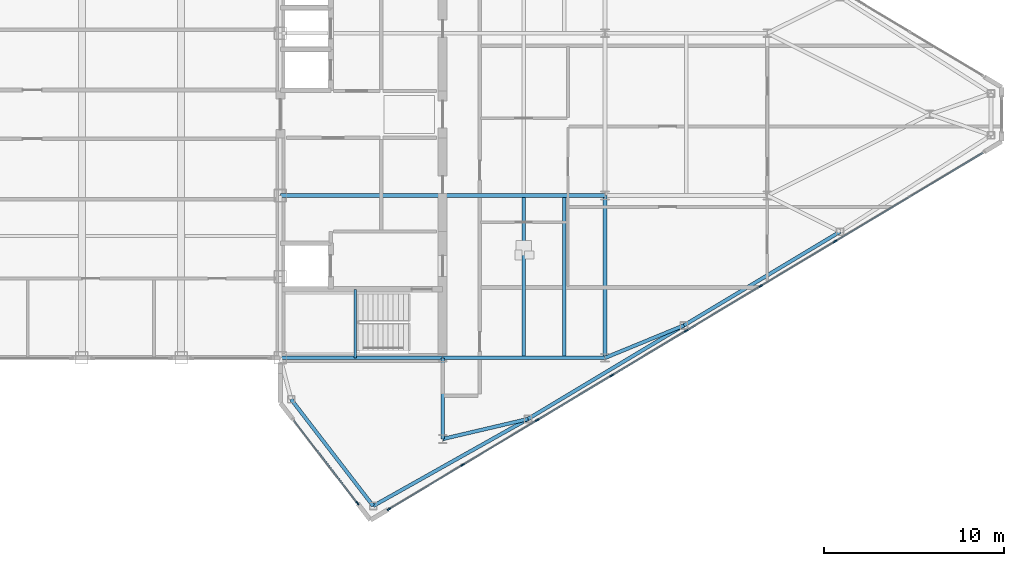
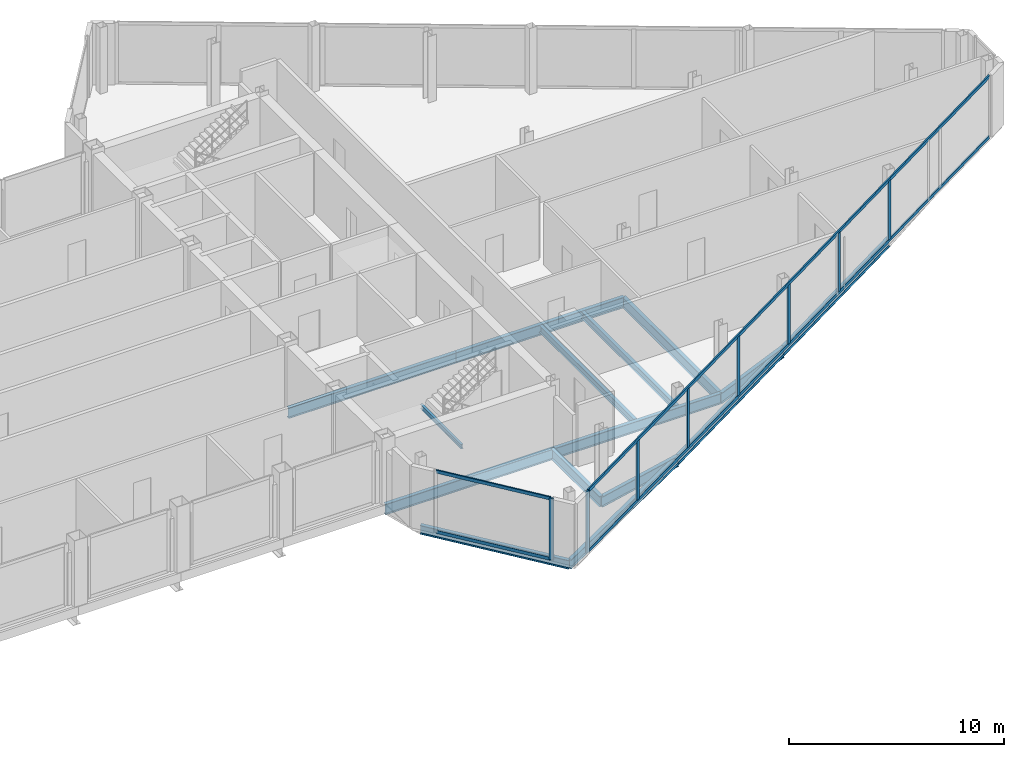
# One storey, part 14 of 28: 15 beams, 12 members, 2 elements without a shape of their own.
"""IFC4 building model written with IfcOpenShell, lengths in metres."""

import ifcopenshell
import ifcopenshell.guid

model = None  # the IFC model being written
_history = None  # IfcOwnerHistory: only IFC2X3 demands one
_inside = {}  # id of a spatial element -> (the spatial element, [elements in it])
_under = {}  # id of a project, library or spatial element -> (it, [spatial elements below it])
_declared = {}  # id of a project -> (the project, [libraries it declares])
_typed = {}  # id of a type object -> (the type object, [elements of that type])
_made_of = {}  # id of a material, layer set ... -> (it, [elements and type objects made of it])


def new_model(schema):
    """Start an empty IFC model of exactly this schema.

    Asked for "IFC4X3", IfcOpenShell would pick the latest addendum, in which some entities
    have other attributes; the version numbers below select the first issue.
    IFC2X3 requires an IfcOwnerHistory on every rooted entity: one is made here for all.
    """
    global model, _history
    if schema == "IFC4X3":
        model = ifcopenshell.file(schema_version=(4, 3, 0, 0))
    else:
        model = ifcopenshell.file(schema=schema)
    _inside.clear()
    _under.clear()
    _declared.clear()
    _typed.clear()
    _made_of.clear()
    _history = None
    if model.schema == "IFC2X3":
        org = make("IfcOrganization", Name="unknown")
        user = make(
            "IfcPersonAndOrganization",
            ThePerson=make("IfcPerson", FamilyName="unknown"),
            TheOrganization=org,
        )
        app = make(
            "IfcApplication",
            ApplicationDeveloper=org,
            Version="unknown",
            ApplicationFullName="unknown",
            ApplicationIdentifier="unknown",
        )
        _history = make(
            "IfcOwnerHistory",
            OwningUser=user,
            OwningApplication=app,
            ChangeAction="ADDED",
            CreationDate=0,
        )
    return model


def make(cls, **values):
    """One entity of the class cls with the attributes given. An attribute that is None is left unset."""
    return model.create_entity(
        cls, **{name: value for name, value in values.items() if value is not None}
    )


def rooted(cls, **values):
    """An entity with a GlobalId (a new one), such as an element, a storey or a relation."""
    return make(cls, GlobalId=ifcopenshell.guid.new(), OwnerHistory=_history, **values)


def si_unit(unit_type, name, prefix=None):
    """IfcSIUnit, for example si_unit("LENGTHUNIT", "METRE", prefix="MILLI")."""
    return make("IfcSIUnit", UnitType=unit_type, Prefix=prefix, Name=name)


def assignment(units):
    """IfcUnitAssignment: the units of a project."""
    return None if units is None else make("IfcUnitAssignment", Units=units)


def point(xyz):
    """IfcCartesianPoint."""
    return None if xyz is None else make("IfcCartesianPoint", Coordinates=xyz)


def direction(xyz):
    """IfcDirection."""
    return None if xyz is None else make("IfcDirection", DirectionRatios=xyz)


def frame(location, z_axis=None, x_axis=None):
    """IfcAxis2Placement3D, a coordinate frame: its origin and axes. An axis left out is left unset."""
    return make(
        "IfcAxis2Placement3D",
        Location=point(location),
        Axis=direction(z_axis),
        RefDirection=direction(x_axis),
    )


def frame_2d(location, x_axis=None):
    """IfcAxis2Placement2D, a coordinate frame in the plane: its origin and x axis."""
    return make(
        "IfcAxis2Placement2D", Location=point(location), RefDirection=direction(x_axis)
    )


def origin():
    """The frame at (0, 0, 0) with its axes left unset."""
    return frame((0.0, 0.0, 0.0))


def origin_2d():
    """The frame at (0, 0) in the plane with its x axis left unset."""
    return frame_2d((0.0, 0.0))


def place(relative_to, where):
    """IfcLocalPlacement: puts the frame where relative to a parent placement (None: the world)."""
    return make(
        "IfcLocalPlacement", PlacementRelTo=relative_to, RelativePlacement=where
    )


def context(
    kind, dimensions, precision=None, world=None, true_north=None, identifier=None
):
    """IfcGeometricRepresentationContext, for example the 3D "Model" context."""
    return make(
        "IfcGeometricRepresentationContext",
        ContextIdentifier=identifier,
        ContextType=kind,
        CoordinateSpaceDimension=dimensions,
        Precision=precision,
        WorldCoordinateSystem=world,
        TrueNorth=true_north,
    )


def subcontext(parent, identifier, kind, view, scale=None):
    """IfcGeometricRepresentationSubContext, for example "Body" below "Model"."""
    return make(
        "IfcGeometricRepresentationSubContext",
        ContextIdentifier=identifier,
        ContextType=kind,
        ParentContext=parent,
        TargetScale=scale,
        TargetView=view,
    )


def project(units=None, contexts=None):
    """IfcProject with its units and contexts."""
    return rooted(
        "IfcProject",
        Name="project",
        RepresentationContexts=contexts,
        UnitsInContext=assignment(units),
    )


def spatial(cls, under=None, at=None, **own):
    """A site, building, storey or space (cls), placed at a placement, below another one or the project."""
    s = rooted(cls, ObjectPlacement=at, **own)
    if under is not None:
        _under.setdefault(under.id(), (under, []))[1].append(s)
    return s


def profile(cls, at=None, kind="AREA", **sizes):
    """A parametric profile (cls). Its sizes go by their IFC names, for example OverallWidth=200.0."""
    return make(cls, ProfileType=kind, Position=at, **sizes)


def rectangle(**sizes):
    """IfcRectangleProfileDef."""
    return profile("IfcRectangleProfileDef", **sizes)


def i_section(**sizes):
    """IfcIShapeProfileDef."""
    return profile("IfcIShapeProfileDef", **sizes)


def extrude(swept, where, along, depth):
    """IfcExtrudedAreaSolid: the profile swept, set in the frame where, extruded along a direction by depth."""
    return make(
        "IfcExtrudedAreaSolid",
        SweptArea=swept,
        Position=where,
        ExtrudedDirection=direction(along),
        Depth=depth,
    )


def shape(context_of_items, identifier, shape_type, items):
    """IfcShapeRepresentation: the items that make up one representation, for example the "Body"."""
    return make(
        "IfcShapeRepresentation",
        ContextOfItems=context_of_items,
        RepresentationIdentifier=identifier,
        RepresentationType=shape_type,
        Items=items,
    )


def source(mapping_origin, context_of_items, identifier, shape_type, items):
    """IfcRepresentationMap: a shape defined once, which mapped items show again and again."""
    return make(
        "IfcRepresentationMap",
        MappingOrigin=mapping_origin,
        MappedRepresentation=shape(context_of_items, identifier, shape_type, items),
    )


def transform(
    local_origin,
    x_axis=None,
    y_axis=None,
    z_axis=None,
    scale=None,
    scale2=None,
    scale3=None,
    uniform=True,
):
    """IfcCartesianTransformationOperator3D, or its non-uniform kind. x_axis, y_axis, z_axis: its Axis1, 2, 3."""
    if uniform:
        return make(
            "IfcCartesianTransformationOperator3D",
            Axis1=direction(x_axis),
            Axis2=direction(y_axis),
            LocalOrigin=point(local_origin),
            Scale=scale,
            Axis3=direction(z_axis),
        )
    return make(
        "IfcCartesianTransformationOperator3DnonUniform",
        Axis1=direction(x_axis),
        Axis2=direction(y_axis),
        LocalOrigin=point(local_origin),
        Scale=scale,
        Axis3=direction(z_axis),
        Scale2=scale2,
        Scale3=scale3,
    )


def mapped(mapping_source, mapping_target):
    """IfcMappedItem: shows the shape of a source again, moved by a transform."""
    return make(
        "IfcMappedItem", MappingSource=mapping_source, MappingTarget=mapping_target
    )


def material(Name=None, Category=None):
    """IfcMaterial."""
    return make("IfcMaterial", Name=Name, Category=Category)


def layer(
    of_material, thickness, ventilated=None, Name=None, Category=None, Priority=None
):
    """IfcMaterialLayer: one layer of a wall or slab, of a material (None: an air gap)."""
    return make(
        "IfcMaterialLayer",
        Material=of_material,
        LayerThickness=thickness,
        IsVentilated=ventilated,
        Name=Name,
        Category=Category,
        Priority=Priority,
    )


def layer_set(layers, Name=None):
    """IfcMaterialLayerSet."""
    return make("IfcMaterialLayerSet", MaterialLayers=layers, LayerSetName=Name)


def material_profile(
    of_material, cross_section, Name=None, Category=None, Priority=None
):
    """IfcMaterialProfile: a cross section and its material."""
    return make(
        "IfcMaterialProfile",
        Name=Name,
        Material=of_material,
        Profile=cross_section,
        Priority=Priority,
        Category=Category,
    )


def profile_set(profiles, Name=None, composite=None):
    """IfcMaterialProfileSet."""
    return make(
        "IfcMaterialProfileSet",
        Name=Name,
        MaterialProfiles=profiles,
        CompositeProfile=composite,
    )


def made_of(thing, what):
    """Note that an element or type object is made of a material, layer set ...; save() writes the relation."""
    if what is not None:
        _made_of.setdefault(what.id(), (what, []))[1].append(thing)
    return thing


def type_object(cls, material=None, **own):
    """A type object (cls), such as IfcWallType, which elements share."""
    return made_of(rooted(cls, **own), material)


def type_shapes(of_type, sources):
    """Give a type object the sources (RepresentationMaps) that its elements show as mapped items."""
    of_type.RepresentationMaps = sources


def element(
    cls,
    number,
    at=None,
    inside=None,
    cuts=None,
    type_object=None,
    material=None,
    context=None,
    identifier="Body",
    shape_type=None,
    held_by="IfcProductDefinitionShape",
    body=None,
    shapes=None,
    **own,
):
    """One element of the class cls, such as IfcWall. Its Tag is "e" and its number.

    at: its placement. inside: the storey or other place that contains it. cuts: it is an
    opening in that element (IfcRelVoidsElement). A single representation is given by context,
    identifier, shape_type and body (its items); several are given by shapes. held_by: the class
    of the entity that holds the representations. save() writes the other relations.
    """
    e = rooted(cls, Tag="e%d" % number, ObjectPlacement=at, **own)
    if body is not None:
        shapes = [shape(context, identifier, shape_type, body)]
    if shapes is not None:
        e.Representation = make(held_by, Representations=shapes)
    if inside is not None:
        _inside.setdefault(inside.id(), (inside, []))[1].append(e)
    if cuts is not None:
        rooted(
            "IfcRelVoidsElement", RelatingBuildingElement=cuts, RelatedOpeningElement=e
        )
    if type_object is not None:
        _typed.setdefault(type_object.id(), (type_object, []))[1].append(e)
    return made_of(e, material)


def aggregate(whole, parts):
    """IfcRelAggregates: a whole, such as a stair, and the parts it consists of."""
    return rooted("IfcRelAggregates", RelatingObject=whole, RelatedObjects=parts)


def save(model, path):
    """Write the relations noted so far, then the file.

    IfcRelAggregates (storeys below a building ...), IfcRelContainedInSpatialStructure (elements
    in a storey), IfcRelDefinesByType, IfcRelAssociatesMaterial and IfcRelDeclares: one each for
    every whole, place, type object, material and project.
    """
    for whole, parts in _under.values():
        aggregate(whole, parts)
    for where, things in _inside.values():
        rooted(
            "IfcRelContainedInSpatialStructure",
            RelatedElements=things,
            RelatingStructure=where,
        )
    for kind, things in _typed.values():
        rooted("IfcRelDefinesByType", RelatedObjects=things, RelatingType=kind)
    for what, things in _made_of.values():
        rooted("IfcRelAssociatesMaterial", RelatedObjects=things, RelatingMaterial=what)
    for by, libraries in _declared.values():
        rooted("IfcRelDeclares", RelatingContext=by, RelatedDefinitions=libraries)
    model.write(path)


model = new_model("IFC4")

# Units and contexts
model_context = context("Model", 3, precision=1e-05, world=origin(), true_north=direction((0.0, 1.0)))
body_context = subcontext(model_context, "Body", "Model", "MODEL_VIEW")
ifc_project = project(units=[si_unit("LENGTHUNIT", "METRE"), si_unit("AREAUNIT", "SQUARE_METRE"), si_unit("VOLUMEUNIT", "CUBIC_METRE"), si_unit("PLANEANGLEUNIT", "RADIAN"), si_unit("MASSUNIT", "GRAM", prefix="KILO")], contexts=[model_context])

# Site, building, storey
site_placement = place(None, origin())
site = spatial("IfcSite", under=ifc_project, at=site_placement, CompositionType="ELEMENT")
building_placement = place(site_placement, origin())
building = spatial("IfcBuilding", under=site, at=building_placement, Name="Seokmaru Belvedere", CompositionType="ELEMENT")
storey_placement = place(building_placement, frame((0.0, 0.0, 265.64990234375)))
storey = spatial("IfcBuildingStorey", under=building, at=storey_placement, Name="L70", CompositionType="ELEMENT", Elevation=265.64990234375)

# Beams
ifc_material_1 = material(Name="Steel SM355 (355 MPa)", Category="steel")
ifc_material_profile_1 = material_profile(ifc_material_1, i_section(OverallWidth=0.199951171875, OverallDepth=0.60009765625, WebThickness=0.010986328125, FlangeThickness=0.01708984375, at=origin_2d()), Name="H-600x200x11x17")
ifc_profile_set_1 = profile_set([ifc_material_profile_1], Name="Steel SM355 (355 MPa)")
beam_type_1 = type_object("IfcBeamType", Name="Primary Floor Girder H-600", PredefinedType="BEAM", material=ifc_profile_set_1)
shared_shape_1 = source(origin(), body_context, "Body", "SweptSolid", [
    extrude(i_section(OverallWidth=0.199951171875, OverallDepth=0.60009765625, WebThickness=0.010986328125, FlangeThickness=0.01708984375, at=origin_2d()), origin(), (0.0, 0.0, 1.0), 9.0),
])
for number, where, z_axis, x_axis, name in (
    (1, (45.5, -13.5, -0.52001953125), (0.0, 1.0, 0.0), (-1.0, 0.0, 0.0), "L70 E Interior Grid Girder 1"),
    (2, (27.5, -13.5, -0.52001953125), (1.0, 0.0, 0.0), (0.0, 1.0, 0.0), "L70 E Core Tie Girder 1"),
    (3, (36.5, -13.5, -0.52001953125), (1.0, 0.0, 0.0), (0.0, 1.0, 0.0), "L70 E Wing Primary Girder 1"),
    (4, (27.5, -4.5, -0.52001953125), (1.0, 0.0, 0.0), (0.0, 1.0, 0.0), "L70 E Core Tie Girder 2"),
    (5, (36.5, -4.5, -0.52001953125), (1.0, 0.0, 0.0), (0.0, 1.0, 0.0), "L70 E Wing Primary Girder 2"),
):
    element("IfcBeam", number, at=place(storey_placement, frame(where, z_axis=z_axis, x_axis=x_axis)), inside=storey, type_object=beam_type_1, Name=name, PredefinedType="BEAM", context=body_context, shape_type="MappedRepresentation", body=[
        mapped(shared_shape_1, transform((0.0, 0.0, 0.0), scale=1.0)),
    ])
ifc_material_profile_2 = material_profile(ifc_material_1, i_section(OverallWidth=0.18505859375, OverallDepth=0.389892578125, WebThickness=0.008056640625, FlangeThickness=0.011962890625, at=origin_2d()), Name="H-390x185x8x12")
ifc_profile_set_2 = profile_set([ifc_material_profile_2], Name="Steel SM355 (355 MPa)")
beam_type_2 = type_object("IfcBeamType", Name="Secondary Floor Joist H-350", PredefinedType="JOIST", material=ifc_profile_set_2)
shared_shape_2 = source(origin(), body_context, "Body", "SweptSolid", [
    extrude(i_section(OverallWidth=0.18505859375, OverallDepth=0.389892578125, WebThickness=0.008056640625, FlangeThickness=0.011962890625, at=origin_2d()), origin(), (0.0, 0.0, 1.0), 8.7900390625),
])
type_shapes(beam_type_2, [shared_shape_2])
for number, where, z_axis, x_axis, name in (
    (6, (43.25, -13.39501953125, -0.414794921875), (0.0, 1.0, 0.0), (-1.0, 0.0, 0.0), "L70 E Wing Inner Secondary Joist 1"),
    (7, (41.0, -13.39501953125, -0.414794921875), (0.0, 1.0, 0.0), (-1.0, 0.0, 0.0), "L70 E Secondary Floor Joist 1"),
):
    element("IfcBeam", number, at=place(storey_placement, frame(where, z_axis=z_axis, x_axis=x_axis)), inside=storey, type_object=beam_type_2, Name=name, PredefinedType="JOIST", context=body_context, shape_type="MappedRepresentation", body=[
        mapped(shared_shape_2, transform((0.0, 0.0, 0.0), scale=1.0)),
    ])
shared_shape_3 = source(origin(), body_context, "Body", "SweptSolid", [
    extrude(i_section(OverallWidth=0.199951171875, OverallDepth=0.60009765625, WebThickness=0.010986328125, FlangeThickness=0.01708984375, at=origin_2d()), origin(), (0.0, 0.0, 1.0), 4.5),
])
beam_1_placement = place(storey_placement, frame((36.5, -18.0, -0.52001953125), z_axis=(0.0, 1.0, 0.0), x_axis=(-1.0, 0.0, 0.0)))
element("IfcBeam", 8, at=beam_1_placement, inside=storey, type_object=beam_type_1, Name="L70 E Core Shoulder Girder S", PredefinedType="BEAM", context=body_context, shape_type="MappedRepresentation", body=[
    mapped(shared_shape_3, transform((0.0, 0.0, 0.0), scale=1.0)),
])
ifc_material_profile_3 = material_profile(ifc_material_1, i_section(OverallWidth=0.199951171875, OverallDepth=0.5, WebThickness=0.010009765625, FlangeThickness=0.01611328125, at=origin_2d()), Name="H-500x200x10x16")
ifc_profile_set_3 = profile_set([ifc_material_profile_3], Name="Steel SM355 (355 MPa)")
beam_type_3 = type_object("IfcBeamType", Name="Perimeter Spandrel Beam H-500", PredefinedType="SPANDREL", material=ifc_profile_set_3)
shared_shape_4 = source(origin(), body_context, "Body", "SweptSolid", [
    extrude(i_section(OverallWidth=0.199951171875, OverallDepth=0.5, WebThickness=0.010009765625, FlangeThickness=0.01611328125, at=origin_2d()), origin(), (0.0, 0.0, 1.0), 9.842041015625),
])
beam_2_placement = place(storey_placement, frame((32.649658203125, -21.71044921875, -0.469970703125), z_axis=(0.871782151818, 0.489893743349, 0.0), x_axis=(-0.489893743349, 0.871782151818, 0.0)))
element("IfcBeam", 9, at=beam_2_placement, inside=storey, type_object=beam_type_3, Name="L70 E Faceted Flank Spandrel S-1", PredefinedType="SPANDREL", context=body_context, shape_type="MappedRepresentation", body=[
    mapped(shared_shape_4, transform((0.0, 0.0, 0.0), scale=1.0)),
])
shared_shape_5 = source(origin(), body_context, "Body", "SweptSolid", [
    extrude(i_section(OverallWidth=0.199951171875, OverallDepth=0.5, WebThickness=0.010009765625, FlangeThickness=0.01611328125, at=origin_2d()), origin(), (0.0, 0.0, 1.0), 10.087646484375),
])
for number, where, z_axis, x_axis, name in (
    (10, (41.229736328125, -16.888916015625, -0.469970703125), (0.857499332045, 0.514485078056, 0.0), (-0.514485078056, 0.857499332045, 0.0), "L70 E Faceted Flank Spandrel S-2"),
    (11, (49.8798828125, -11.698974609375, -0.469970703125), (0.857488654804, 0.514502873542, 0.0), (-0.514502873542, 0.857488654804, 0.0), "L70 E Faceted Flank Spandrel S-3"),
):
    element("IfcBeam", number, at=place(storey_placement, frame(where, z_axis=z_axis, x_axis=x_axis)), inside=storey, type_object=beam_type_3, Name=name, PredefinedType="SPANDREL", context=body_context, shape_type="MappedRepresentation", body=[
        mapped(shared_shape_5, transform((0.0, 0.0, 0.0), scale=1.0)),
    ])
shared_shape_6 = source(origin(), body_context, "Body", "SweptSolid", [
    extrude(i_section(OverallWidth=0.199951171875, OverallDepth=0.5, WebThickness=0.010009765625, FlangeThickness=0.01611328125, at=origin_2d()), origin(), (0.0, 0.0, 1.0), 7.4619140625),
])
type_shapes(beam_type_3, [shared_shape_4, shared_shape_5, shared_shape_6])
beam_3_placement = place(storey_placement, frame((32.649658203125, -21.71044921875, -0.469970703125), z_axis=(-0.609702854945, 0.792630070507, 0.0), x_axis=(-0.792630070507, -0.609702854945, 0.0)))
element("IfcBeam", 12, at=beam_3_placement, inside=storey, type_object=beam_type_3, Name="L70 E Shoulder Chamfer Spandrel S", PredefinedType="SPANDREL", context=body_context, shape_type="MappedRepresentation", body=[
    mapped(shared_shape_6, transform((0.0, 0.0, 0.0), scale=1.0)),
])
shared_shape_7 = source(origin(), body_context, "Body", "SweptSolid", [
    extrude(i_section(OverallWidth=0.199951171875, OverallDepth=0.60009765625, WebThickness=0.010986328125, FlangeThickness=0.01708984375, at=origin_2d()), origin(), (0.0, 0.0, 1.0), 4.8583984375),
])
beam_4_placement = place(storey_placement, frame((41.229736328125, -16.888916015625, -0.52001953125), z_axis=(-0.97349948295, -0.228689214211, 0.0), x_axis=(0.228689214211, -0.97349948295, 0.0)))
element("IfcBeam", 13, at=beam_4_placement, inside=storey, type_object=beam_type_1, Name="L70 E Flank Radial Floor Girder S-1", PredefinedType="BEAM", context=body_context, shape_type="MappedRepresentation", body=[
    mapped(shared_shape_7, transform((0.0, 0.0, 0.0), scale=1.0)),
])
shared_shape_8 = source(origin(), body_context, "Body", "SweptSolid", [
    extrude(i_section(OverallWidth=0.199951171875, OverallDepth=0.60009765625, WebThickness=0.010986328125, FlangeThickness=0.01708984375, at=origin_2d()), origin(), (0.0, 0.0, 1.0), 4.73583984375),
])
type_shapes(beam_type_1, [shared_shape_1, shared_shape_3, shared_shape_7, shared_shape_8])
beam_5_placement = place(storey_placement, frame((49.8798828125, -11.698974609375, -0.52001953125), z_axis=(-0.924860562953, -0.380306375301, 0.0), x_axis=(0.380306375301, -0.924860562953, 0.0)))
element("IfcBeam", 14, at=beam_5_placement, inside=storey, type_object=beam_type_1, Name="L70 E Flank Radial Floor Girder S-2", PredefinedType="BEAM", context=body_context, shape_type="MappedRepresentation", body=[
    mapped(shared_shape_8, transform((0.0, 0.0, 0.0), scale=1.0)),
])

# Curtain wall, members
ifc_material_2 = material(Name="Bronze Triple Insulating Glass", Category="glass")
ifc_layer = layer(ifc_material_2, 0.219970703125)
ifc_layer_set = layer_set([ifc_layer], Name="Bronze Triple Insulating Glass")
curtain_wall_type = type_object("IfcCurtainWallType", Name="Sky-Gate Bridge Panorama Curtain Wall System CW-6", PredefinedType="NOTDEFINED", material=ifc_layer_set)
curtain_wall_1_placement = place(storey_placement, origin())
curtain_wall_1 = element("IfcCurtainWall", 15, at=curtain_wall_1_placement, inside=storey, type_object=curtain_wall_type, Name="L70 Curtain Wall EF6", PredefinedType="NOTDEFINED")
ifc_material_3 = material(Name="Anodised Bronze Aluminium", Category="aluminium")
ifc_material_profile_4 = material_profile(ifc_material_3, rectangle(XDim=0.074951171875, YDim=0.179931640625, at=origin_2d()), Name="CW-T-75x180")
ifc_profile_set_4 = profile_set([ifc_material_profile_4], Name="Anodised Bronze Aluminium")
member_type_1 = type_object("IfcMemberType", Name="Bronze Unitised Transom 75x180", PredefinedType="USERDEFINED", material=ifc_profile_set_4)
shared_shape_9 = source(origin(), body_context, "Body", "SweptSolid", [
    extrude(rectangle(XDim=0.074951171875, YDim=0.179931640625, at=origin_2d()), origin(), (0.0, 0.0, 1.0), 5.74072265625),
])
member_1_placement = place(storey_placement, frame((28.25, -16.974853515625, 0.03759765625), z_axis=(0.609686097287, -0.792642960465, 0.0), x_axis=(0.792642960465, 0.609686097287, 0.0)))
member_1 = element("IfcMember", 16, at=member_1_placement, type_object=member_type_1, Name="CW:L70:EF6 Continuous Transom 1", ObjectType="TRANSOM", PredefinedType="USERDEFINED", context=body_context, shape_type="MappedRepresentation", body=[
    mapped(shared_shape_9, transform((0.0, 0.0, 0.0), scale=1.0)),
])
member_2_placement = place(storey_placement, frame((28.25, -16.974853515625, 3.45263671875), z_axis=(0.609686097287, -0.792642960465, 0.0), x_axis=(0.792642960465, 0.609686097287, 0.0)))
member_2 = element("IfcMember", 17, at=member_2_placement, type_object=member_type_1, Name="CW:L70:EF6 Continuous Transom 2", ObjectType="TRANSOM", PredefinedType="USERDEFINED", context=body_context, shape_type="MappedRepresentation", body=[
    mapped(shared_shape_9, transform((0.0, 0.0, 0.0), scale=1.0)),
])

curtain_wall_2_placement = place(storey_placement, origin())
curtain_wall_2 = element("IfcCurtainWall", 18, at=curtain_wall_2_placement, inside=storey, type_object=curtain_wall_type, Name="L70 Curtain Wall EF1", PredefinedType="NOTDEFINED")
shared_shape_10 = source(origin(), body_context, "Body", "SweptSolid", [
    extrude(rectangle(XDim=0.074951171875, YDim=0.179931640625, at=origin_2d()), origin(), (0.0, 0.0, 1.0), 38.356689453125),
])
type_shapes(member_type_1, [shared_shape_9, shared_shape_10])
member_3_placement = place(storey_placement, frame((33.5546875, -21.8671875, 0.03759765625), z_axis=(0.857492925713, 0.514495755428, 0.0), x_axis=(-0.514495755428, 0.857492925713, 0.0)))
member_3 = element("IfcMember", 19, at=member_3_placement, type_object=member_type_1, Name="CW:L70:EF1 Continuous Transom 1", ObjectType="TRANSOM", PredefinedType="USERDEFINED", context=body_context, shape_type="MappedRepresentation", body=[
    mapped(shared_shape_10, transform((0.0, 0.0, 0.0), scale=1.0)),
])
member_4_placement = place(storey_placement, frame((33.5546875, -21.8671875, 3.45263671875), z_axis=(0.857492925713, 0.514495755428, 0.0), x_axis=(-0.514495755428, 0.857492925713, 0.0)))
member_4 = element("IfcMember", 20, at=member_4_placement, type_object=member_type_1, Name="CW:L70:EF1 Continuous Transom 2", ObjectType="TRANSOM", PredefinedType="USERDEFINED", context=body_context, shape_type="MappedRepresentation", body=[
    mapped(shared_shape_10, transform((0.0, 0.0, 0.0), scale=1.0)),
])
ifc_material_profile_5 = material_profile(ifc_material_3, rectangle(XDim=0.080078125, YDim=0.219970703125, at=origin_2d()), Name="CW-M-80x220")
ifc_profile_set_5 = profile_set([ifc_material_profile_5], Name="Anodised Bronze Aluminium")
member_type_2 = type_object("IfcMemberType", Name="Bronze Unitised Mullion 80x220", PredefinedType="MULLION", material=ifc_profile_set_5)
shared_shape_11 = source(origin(), body_context, "Body", "SweptSolid", [
    extrude(rectangle(XDim=0.080078125, YDim=0.219970703125, at=origin_2d()), origin(), (0.0, 0.0, 1.0), 3.489990234375),
])
member_5_placement = place(storey_placement, frame((33.5205078125, -21.8876953125, 0.0), z_axis=(0.0, 0.0, 1.0), x_axis=(-0.514494909364, 0.85749343335, 0.0)))
member_5 = element("IfcMember", 21, at=member_5_placement, type_object=member_type_2, Name="CW:L70:EF1 Mullion 1", PredefinedType="MULLION", context=body_context, shape_type="MappedRepresentation", body=[
    mapped(shared_shape_11, transform((0.0, 0.0, 0.0), scale=1.0)),
])

# Member
member_6_placement = place(storey_placement, frame((31.7744140625, -21.556884765625, 0.0), z_axis=(0.0, 0.0, 1.0), x_axis=(0.792631353244, 0.609701187349, 0.0)))
member_6 = element("IfcMember", 22, at=member_6_placement, type_object=member_type_2, Name="CW:L70:EF6 Mullion 2", PredefinedType="MULLION", context=body_context, shape_type="MappedRepresentation", body=[
    mapped(shared_shape_11, transform((0.0, 0.0, 0.0), scale=1.0)),
])

aggregate(curtain_wall_1, [member_6, member_1, member_2])

shared_shape_12 = source(origin(), body_context, "Body", "SweptSolid", [
    extrude(rectangle(XDim=0.080078125, YDim=0.219970703125, at=origin_2d()), origin(), (0.0, 0.0, 1.0), 3.33984375),
])
type_shapes(member_type_2, [shared_shape_11, shared_shape_12])
member_7_placement = place(storey_placement, frame((37.614501953125, -19.43115234375, 0.0751953125), z_axis=(0.0, 0.0, 1.0), x_axis=(-0.514494909364, 0.85749343335, 0.0)))
member_7 = element("IfcMember", 23, at=member_7_placement, type_object=member_type_2, Name="CW:L70:EF1 Mullion 2", PredefinedType="MULLION", context=body_context, shape_type="MappedRepresentation", body=[
    mapped(shared_shape_12, transform((0.0, 0.0, 0.0), scale=1.0)),
])

member_8_placement = place(storey_placement, frame((41.7431640625, -16.9541015625, 0.0751953125), z_axis=(0.0, 0.0, 1.0), x_axis=(-0.514494909364, 0.85749343335, 0.0)))
member_8 = element("IfcMember", 24, at=member_8_placement, type_object=member_type_2, Name="CW:L70:EF1 Mullion 3", PredefinedType="MULLION", context=body_context, shape_type="MappedRepresentation", body=[
    mapped(shared_shape_12, transform((0.0, 0.0, 0.0), scale=1.0)),
])

member_9_placement = place(storey_placement, frame((45.87158203125, -14.47705078125, 0.0751953125), z_axis=(0.0, 0.0, 1.0), x_axis=(-0.514494909364, 0.85749343335, 0.0)))
member_9 = element("IfcMember", 25, at=member_9_placement, type_object=member_type_2, Name="CW:L70:EF1 Mullion 4", PredefinedType="MULLION", context=body_context, shape_type="MappedRepresentation", body=[
    mapped(shared_shape_12, transform((0.0, 0.0, 0.0), scale=1.0)),
])

member_10_placement = place(storey_placement, frame((50.0, -12.0, 0.0751953125), z_axis=(0.0, 0.0, 1.0), x_axis=(-0.514494909364, 0.85749343335, 0.0)))
member_10 = element("IfcMember", 26, at=member_10_placement, type_object=member_type_2, Name="CW:L70:EF1 Mullion 5", PredefinedType="MULLION", context=body_context, shape_type="MappedRepresentation", body=[
    mapped(shared_shape_12, transform((0.0, 0.0, 0.0), scale=1.0)),
])

member_11_placement = place(storey_placement, frame((54.12841796875, -9.52294921875, 0.0751953125), z_axis=(0.0, 0.0, 1.0), x_axis=(-0.514494909364, 0.85749343335, 0.0)))
member_11 = element("IfcMember", 27, at=member_11_placement, type_object=member_type_2, Name="CW:L70:EF1 Mullion 6", PredefinedType="MULLION", context=body_context, shape_type="MappedRepresentation", body=[
    mapped(shared_shape_12, transform((0.0, 0.0, 0.0), scale=1.0)),
])

member_12_placement = place(storey_placement, frame((58.257080078125, -7.0458984375, 0.0751953125), z_axis=(0.0, 0.0, 1.0), x_axis=(-0.514494909364, 0.85749343335, 0.0)))
member_12 = element("IfcMember", 28, at=member_12_placement, type_object=member_type_2, Name="CW:L70:EF1 Mullion 7", PredefinedType="MULLION", context=body_context, shape_type="MappedRepresentation", body=[
    mapped(shared_shape_12, transform((0.0, 0.0, 0.0), scale=1.0)),
])

aggregate(curtain_wall_2, [member_5, member_7, member_8, member_9, member_10, member_11, member_12, member_3, member_4])

# Beam
ifc_material_profile_6 = material_profile(ifc_material_1, i_section(OverallWidth=0.125, OverallDepth=0.25, WebThickness=0.006103515625, FlangeThickness=0.009033203125, at=origin_2d()), Name="H-250x125x6x9")
ifc_profile_set_6 = profile_set([ifc_material_profile_6], Name="Steel SM355 (355 MPa)")
beam_type_4 = type_object("IfcBeamType", Name="Stair Mid-Landing Support Beam H-250", PredefinedType="JOIST", material=ifc_profile_set_6)
shared_shape_13 = source(origin(), body_context, "Body", "SweptSolid", [
    extrude(i_section(OverallWidth=0.125, OverallDepth=0.25, WebThickness=0.006103515625, FlangeThickness=0.009033203125, at=origin_2d()), origin(), (0.0, 0.0, 1.0), 3.800048828125),
])
type_shapes(beam_type_4, [shared_shape_13])
beam_6_placement = place(storey_placement, frame((31.64990234375, -13.5, 1.550048828125), z_axis=(0.0, 1.0, 0.0), x_axis=(-1.0, 0.0, 0.0)))
element("IfcBeam", 29, at=beam_6_placement, inside=storey, type_object=beam_type_4, Name="L70 Stair ST-E1 Mid-Landing Support Beam 1", PredefinedType="JOIST", context=body_context, shape_type="MappedRepresentation", body=[
    mapped(shared_shape_13, transform((0.0, 0.0, 0.0), scale=1.0)),
])

save(model, "model.ifc")
